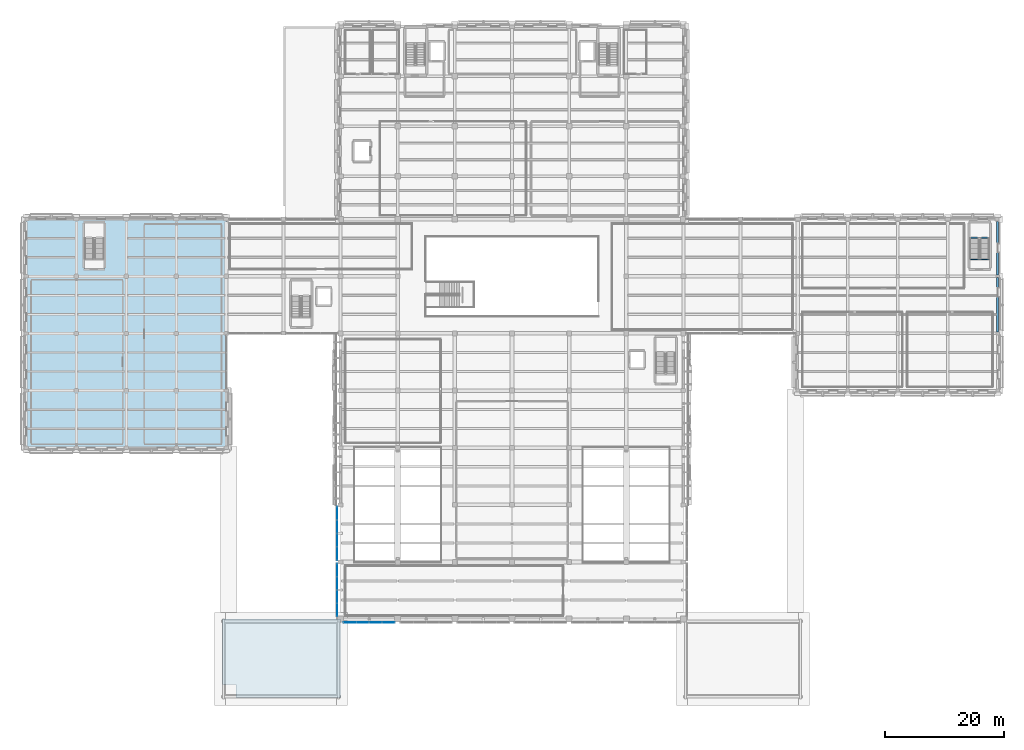
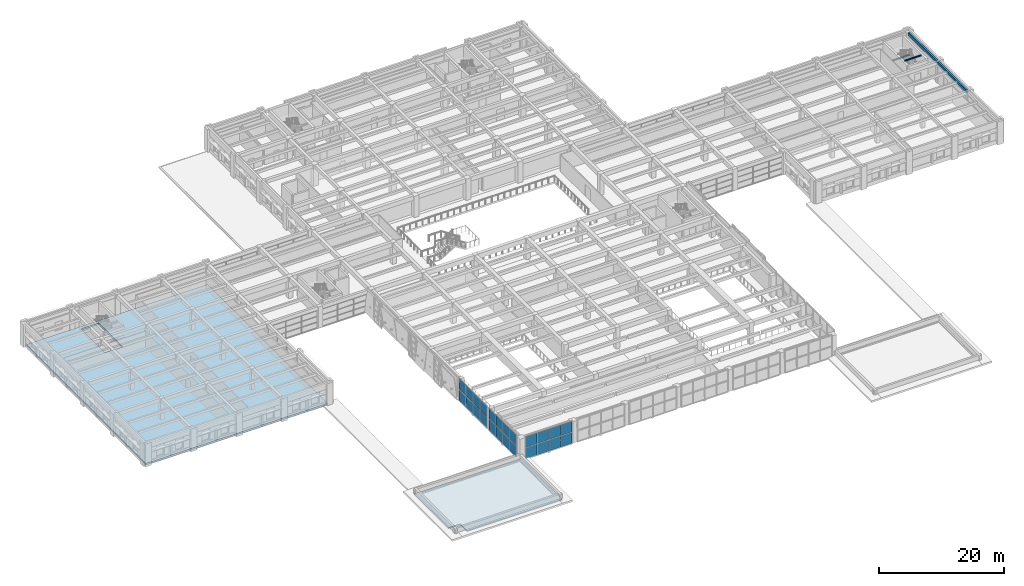
# One storey, part 24 of 49: 24 plates, 4 beams, 2 slabs, 3 elements without a shape of their own.
"""IFC4 building model written with IfcOpenShell, lengths in metres."""

import ifcopenshell
import ifcopenshell.guid

model = None  # the IFC model being written
_history = None  # IfcOwnerHistory: only IFC2X3 demands one
_inside = {}  # id of a spatial element -> (the spatial element, [elements in it])
_under = {}  # id of a project, library or spatial element -> (it, [spatial elements below it])
_declared = {}  # id of a project -> (the project, [libraries it declares])
_typed = {}  # id of a type object -> (the type object, [elements of that type])
_made_of = {}  # id of a material, layer set ... -> (it, [elements and type objects made of it])


def new_model(schema):
    """Start an empty IFC model of exactly this schema.

    Asked for "IFC4X3", IfcOpenShell would pick the latest addendum, in which some entities
    have other attributes; the version numbers below select the first issue.
    IFC2X3 requires an IfcOwnerHistory on every rooted entity: one is made here for all.
    """
    global model, _history
    if schema == "IFC4X3":
        model = ifcopenshell.file(schema_version=(4, 3, 0, 0))
    else:
        model = ifcopenshell.file(schema=schema)
    _inside.clear()
    _under.clear()
    _declared.clear()
    _typed.clear()
    _made_of.clear()
    _history = None
    if model.schema == "IFC2X3":
        org = make("IfcOrganization", Name="unknown")
        user = make(
            "IfcPersonAndOrganization",
            ThePerson=make("IfcPerson", FamilyName="unknown"),
            TheOrganization=org,
        )
        app = make(
            "IfcApplication",
            ApplicationDeveloper=org,
            Version="unknown",
            ApplicationFullName="unknown",
            ApplicationIdentifier="unknown",
        )
        _history = make(
            "IfcOwnerHistory",
            OwningUser=user,
            OwningApplication=app,
            ChangeAction="ADDED",
            CreationDate=0,
        )
    return model


def make(cls, **values):
    """One entity of the class cls with the attributes given. An attribute that is None is left unset."""
    return model.create_entity(
        cls, **{name: value for name, value in values.items() if value is not None}
    )


def rooted(cls, **values):
    """An entity with a GlobalId (a new one), such as an element, a storey or a relation."""
    return make(cls, GlobalId=ifcopenshell.guid.new(), OwnerHistory=_history, **values)


def si_unit(unit_type, name, prefix=None):
    """IfcSIUnit, for example si_unit("LENGTHUNIT", "METRE", prefix="MILLI")."""
    return make("IfcSIUnit", UnitType=unit_type, Prefix=prefix, Name=name)


def assignment(units):
    """IfcUnitAssignment: the units of a project."""
    return None if units is None else make("IfcUnitAssignment", Units=units)


def point(xyz):
    """IfcCartesianPoint."""
    return None if xyz is None else make("IfcCartesianPoint", Coordinates=xyz)


def direction(xyz):
    """IfcDirection."""
    return None if xyz is None else make("IfcDirection", DirectionRatios=xyz)


def frame(location, z_axis=None, x_axis=None):
    """IfcAxis2Placement3D, a coordinate frame: its origin and axes. An axis left out is left unset."""
    return make(
        "IfcAxis2Placement3D",
        Location=point(location),
        Axis=direction(z_axis),
        RefDirection=direction(x_axis),
    )


def frame_2d(location, x_axis=None):
    """IfcAxis2Placement2D, a coordinate frame in the plane: its origin and x axis."""
    return make(
        "IfcAxis2Placement2D", Location=point(location), RefDirection=direction(x_axis)
    )


def origin():
    """The frame at (0, 0, 0) with its axes left unset."""
    return frame((0.0, 0.0, 0.0))


def origin_2d():
    """The frame at (0, 0) in the plane with its x axis left unset."""
    return frame_2d((0.0, 0.0))


def place(relative_to, where):
    """IfcLocalPlacement: puts the frame where relative to a parent placement (None: the world)."""
    return make(
        "IfcLocalPlacement", PlacementRelTo=relative_to, RelativePlacement=where
    )


def context(
    kind, dimensions, precision=None, world=None, true_north=None, identifier=None
):
    """IfcGeometricRepresentationContext, for example the 3D "Model" context."""
    return make(
        "IfcGeometricRepresentationContext",
        ContextIdentifier=identifier,
        ContextType=kind,
        CoordinateSpaceDimension=dimensions,
        Precision=precision,
        WorldCoordinateSystem=world,
        TrueNorth=true_north,
    )


def subcontext(parent, identifier, kind, view, scale=None):
    """IfcGeometricRepresentationSubContext, for example "Body" below "Model"."""
    return make(
        "IfcGeometricRepresentationSubContext",
        ContextIdentifier=identifier,
        ContextType=kind,
        ParentContext=parent,
        TargetScale=scale,
        TargetView=view,
    )


def project(units=None, contexts=None):
    """IfcProject with its units and contexts."""
    return rooted(
        "IfcProject",
        Name="project",
        RepresentationContexts=contexts,
        UnitsInContext=assignment(units),
    )


def spatial(cls, under=None, at=None, **own):
    """A site, building, storey or space (cls), placed at a placement, below another one or the project."""
    s = rooted(cls, ObjectPlacement=at, **own)
    if under is not None:
        _under.setdefault(under.id(), (under, []))[1].append(s)
    return s


def polyline(points):
    """IfcPolyline through the points."""
    return make("IfcPolyline", Points=[point(p) for p in points])


def profile(cls, at=None, kind="AREA", **sizes):
    """A parametric profile (cls). Its sizes go by their IFC names, for example OverallWidth=200.0."""
    return make(cls, ProfileType=kind, Position=at, **sizes)


def rectangle(**sizes):
    """IfcRectangleProfileDef."""
    return profile("IfcRectangleProfileDef", **sizes)


def i_section(**sizes):
    """IfcIShapeProfileDef."""
    return profile("IfcIShapeProfileDef", **sizes)


def outline(outer, holes=None, kind="AREA"):
    """IfcArbitraryClosedProfileDef: a profile drawn as a closed curve; with holes, ...WithVoids."""
    if holes is None:
        return make("IfcArbitraryClosedProfileDef", ProfileType=kind, OuterCurve=outer)
    return make(
        "IfcArbitraryProfileDefWithVoids",
        ProfileType=kind,
        OuterCurve=outer,
        InnerCurves=holes,
    )


def extrude(swept, where, along, depth):
    """IfcExtrudedAreaSolid: the profile swept, set in the frame where, extruded along a direction by depth."""
    return make(
        "IfcExtrudedAreaSolid",
        SweptArea=swept,
        Position=where,
        ExtrudedDirection=direction(along),
        Depth=depth,
    )


def shape(context_of_items, identifier, shape_type, items):
    """IfcShapeRepresentation: the items that make up one representation, for example the "Body"."""
    return make(
        "IfcShapeRepresentation",
        ContextOfItems=context_of_items,
        RepresentationIdentifier=identifier,
        RepresentationType=shape_type,
        Items=items,
    )


def material(Name=None, Category=None):
    """IfcMaterial."""
    return make("IfcMaterial", Name=Name, Category=Category)


def layer(
    of_material, thickness, ventilated=None, Name=None, Category=None, Priority=None
):
    """IfcMaterialLayer: one layer of a wall or slab, of a material (None: an air gap)."""
    return make(
        "IfcMaterialLayer",
        Material=of_material,
        LayerThickness=thickness,
        IsVentilated=ventilated,
        Name=Name,
        Category=Category,
        Priority=Priority,
    )


def layer_set(layers, Name=None):
    """IfcMaterialLayerSet."""
    return make("IfcMaterialLayerSet", MaterialLayers=layers, LayerSetName=Name)


def material_profile(
    of_material, cross_section, Name=None, Category=None, Priority=None
):
    """IfcMaterialProfile: a cross section and its material."""
    return make(
        "IfcMaterialProfile",
        Name=Name,
        Material=of_material,
        Profile=cross_section,
        Priority=Priority,
        Category=Category,
    )


def profile_set(profiles, Name=None, composite=None):
    """IfcMaterialProfileSet."""
    return make(
        "IfcMaterialProfileSet",
        Name=Name,
        MaterialProfiles=profiles,
        CompositeProfile=composite,
    )


def made_of(thing, what):
    """Note that an element or type object is made of a material, layer set ...; save() writes the relation."""
    if what is not None:
        _made_of.setdefault(what.id(), (what, []))[1].append(thing)
    return thing


def type_object(cls, material=None, **own):
    """A type object (cls), such as IfcWallType, which elements share."""
    return made_of(rooted(cls, **own), material)


def element(
    cls,
    number,
    at=None,
    inside=None,
    cuts=None,
    type_object=None,
    material=None,
    context=None,
    identifier="Body",
    shape_type=None,
    held_by="IfcProductDefinitionShape",
    body=None,
    shapes=None,
    **own,
):
    """One element of the class cls, such as IfcWall. Its Tag is "e" and its number.

    at: its placement. inside: the storey or other place that contains it. cuts: it is an
    opening in that element (IfcRelVoidsElement). A single representation is given by context,
    identifier, shape_type and body (its items); several are given by shapes. held_by: the class
    of the entity that holds the representations. save() writes the other relations.
    """
    e = rooted(cls, Tag="e%d" % number, ObjectPlacement=at, **own)
    if body is not None:
        shapes = [shape(context, identifier, shape_type, body)]
    if shapes is not None:
        e.Representation = make(held_by, Representations=shapes)
    if inside is not None:
        _inside.setdefault(inside.id(), (inside, []))[1].append(e)
    if cuts is not None:
        rooted(
            "IfcRelVoidsElement", RelatingBuildingElement=cuts, RelatedOpeningElement=e
        )
    if type_object is not None:
        _typed.setdefault(type_object.id(), (type_object, []))[1].append(e)
    return made_of(e, material)


def aggregate(whole, parts):
    """IfcRelAggregates: a whole, such as a stair, and the parts it consists of."""
    return rooted("IfcRelAggregates", RelatingObject=whole, RelatedObjects=parts)


def save(model, path):
    """Write the relations noted so far, then the file.

    IfcRelAggregates (storeys below a building ...), IfcRelContainedInSpatialStructure (elements
    in a storey), IfcRelDefinesByType, IfcRelAssociatesMaterial and IfcRelDeclares: one each for
    every whole, place, type object, material and project.
    """
    for whole, parts in _under.values():
        aggregate(whole, parts)
    for where, things in _inside.values():
        rooted(
            "IfcRelContainedInSpatialStructure",
            RelatedElements=things,
            RelatingStructure=where,
        )
    for kind, things in _typed.values():
        rooted("IfcRelDefinesByType", RelatedObjects=things, RelatingType=kind)
    for what, things in _made_of.values():
        rooted("IfcRelAssociatesMaterial", RelatedObjects=things, RelatingMaterial=what)
    for by, libraries in _declared.values():
        rooted("IfcRelDeclares", RelatingContext=by, RelatedDefinitions=libraries)
    model.write(path)


model = new_model("IFC4")

# Units and contexts
model_context = context("Model", 3, precision=1e-05, world=origin(), true_north=direction((0.0, 1.0)))
body_context = subcontext(model_context, "Body", "Model", "MODEL_VIEW")
ifc_project = project(units=[si_unit("LENGTHUNIT", "METRE"), si_unit("AREAUNIT", "SQUARE_METRE"), si_unit("VOLUMEUNIT", "CUBIC_METRE"), si_unit("PLANEANGLEUNIT", "RADIAN"), si_unit("MASSUNIT", "GRAM", prefix="KILO")], contexts=[model_context])

# Site, building, storey
site_placement = place(None, origin())
site = spatial("IfcSite", under=ifc_project, at=site_placement, CompositionType="ELEMENT")
building_placement = place(site_placement, origin())
building = spatial("IfcBuilding", under=site, at=building_placement, Name="Bempovik Park Faculty of Sciences", CompositionType="ELEMENT")
storey_placement = place(building_placement, frame((0.0, 0.0, 5.39990234375)))
storey = spatial("IfcBuildingStorey", under=building, at=storey_placement, Name="L01", CompositionType="ELEMENT", Elevation=5.39990234375)

# Beams
ifc_material_1 = material(Name="Concrete C35/45", Category="concrete")
ifc_material_profile_1 = material_profile(ifc_material_1, rectangle(XDim=0.35009765625, YDim=0.5400390625, at=origin_2d()), Name="RC 350x540")
ifc_profile_set_1 = profile_set([ifc_material_profile_1], Name="Concrete C35/45")
beam_type_1 = type_object("IfcBeamType", Name="B-059 RC 350x540", PredefinedType="SPANDREL", material=ifc_profile_set_1)
beam_1_placement = place(storey_placement, frame((170.39990234375, 68.035888671875, 3.91015625), z_axis=(0.0, 1.0, 0.0), x_axis=(-1.0, 0.0, 0.0)))
element("IfcBeam", 1, at=beam_1_placement, inside=storey, type_object=beam_type_1, Name="L01 Beam Y (x=170.4, 67.8-77.4)", PredefinedType="SPANDREL", context=body_context, shape_type="SweptSolid", body=[
    extrude(rectangle(XDim=0.35009765625, YDim=0.5400390625, at=origin_2d()), origin(), (0.0, 0.0, 1.0), 9.128173828125),
])
beam_2_placement = place(storey_placement, frame((170.39990234375, 77.635986328125, 3.91015625), z_axis=(0.0, 1.0, 0.0), x_axis=(-1.0, 0.0, 0.0)))
element("IfcBeam", 2, at=beam_2_placement, inside=storey, type_object=beam_type_1, Name="L01 Beam Y (x=170.4, 77.4-87.0)", PredefinedType="SPANDREL", context=body_context, shape_type="SweptSolid", body=[
    extrude(rectangle(XDim=0.35009765625, YDim=0.5400390625, at=origin_2d()), origin(), (0.0, 0.0, 1.0), 9.008056640625),
])
ifc_material_2 = material(Name="Steel S355", Category="steel")
ifc_material_profile_2 = material_profile(ifc_material_2, i_section(OverallWidth=0.239990234375, OverallDepth=0.22998046875, WebThickness=0.007568359375, FlangeThickness=0.011962890625, at=origin_2d()), Name="HEA 240")
ifc_profile_set_2 = profile_set([ifc_material_profile_2], Name="Steel S355")
beam_type_2 = type_object("IfcBeamType", Name="B-070 HEA 240", PredefinedType="BEAM", material=ifc_profile_set_2)
for number, where, z_axis, x_axis, name in (
    (3, (165.756103515625, 83.89990234375, 1.93505859375), (1.0, 0.0, 0.0), (0.0, 1.0, 0.0), "L01 ST-6 Half-Landing Trimmer Beam"),
    (4, (165.756103515625, 80.22509765625, 4.065185546875), (1.0, 0.0, 0.0), (0.0, 1.0, 0.0), "L02 ST-6 Floor Landing Trimmer Beam"),
):
    element("IfcBeam", number, at=place(storey_placement, frame(where, z_axis=z_axis, x_axis=x_axis)), inside=storey, type_object=beam_type_2, Name=name, PredefinedType="BEAM", context=body_context, shape_type="SweptSolid", body=[
        extrude(i_section(OverallWidth=0.239990234375, OverallDepth=0.22998046875, WebThickness=0.007568359375, FlangeThickness=0.011962890625, at=origin_2d()), origin(), (0.0, 0.0, 1.0), 3.23779296875),
    ])

# Curtain wall, plates
ifc_material_3 = material(Name="Tempered laminated low-E glass", Category="glass")
ifc_layer_1 = layer(ifc_material_3, 0.159912109375)
ifc_layer_set_1 = layer_set([ifc_layer_1], Name="Tempered laminated low-E glass")
curtain_wall_type = type_object("IfcCurtainWallType", Name="CW-48 Curtain 7200x4200", PredefinedType="USERDEFINED", material=ifc_layer_set_1)
curtain_wall_1_placement = place(storey_placement, origin())
curtain_wall_1 = element("IfcCurtainWall", 5, at=curtain_wall_1_placement, inside=storey, type_object=curtain_wall_type, Name="L01 Recessed Entrance Foyer Curtain Wall (60.0-69.6)", ObjectType="UNITISED CURTAIN WALL", PredefinedType="USERDEFINED")
ifc_layer_2 = layer(ifc_material_3, 0.0400390625)
ifc_layer_set_2 = layer_set([ifc_layer_2], Name="Tempered laminated low-E glass")
plate_type = type_object("IfcPlateType", Name="CP-15 Curtain Panel 40mm", PredefinedType="CURTAIN_PANEL", material=ifc_layer_set_2)
plate_1_placement = place(storey_placement, frame((61.54638671875, 19.219970703125, 0.1201171875), z_axis=(0.0, 0.0, 1.0), x_axis=(1.0, 0.0, 0.0)))
plate_1 = element("IfcPlate", 6, at=plate_1_placement, type_object=plate_type, Name="CW-FOY-L01-198-600 Panel 0-0", PredefinedType="CURTAIN_PANEL", context=body_context, shape_type="SweptSolid", body=[
    extrude(rectangle(XDim=2.089111328125, YDim=0.035888671875, at=origin_2d()), origin(), (0.0, 0.0, 1.0), 2.1298828125),
])
plate_2_placement = place(storey_placement, frame((61.54638671875, 19.219970703125, 2.330078125), z_axis=(0.0, 0.0, 1.0), x_axis=(1.0, 0.0, 0.0)))
plate_2 = element("IfcPlate", 7, at=plate_2_placement, type_object=plate_type, Name="CW-FOY-L01-198-600 Panel 0-1", PredefinedType="CURTAIN_PANEL", context=body_context, shape_type="SweptSolid", body=[
    extrude(rectangle(XDim=2.089111328125, YDim=0.035888671875, at=origin_2d()), origin(), (0.0, 0.0, 1.0), 2.1298828125),
])
plate_3_placement = place(storey_placement, frame((63.715576171875, 19.219970703125, 0.1201171875), z_axis=(0.0, 0.0, 1.0), x_axis=(1.0, 0.0, 0.0)))
plate_3 = element("IfcPlate", 8, at=plate_3_placement, type_object=plate_type, Name="CW-FOY-L01-198-600 Panel 1-0", PredefinedType="CURTAIN_PANEL", context=body_context, shape_type="SweptSolid", body=[
    extrude(rectangle(XDim=2.089111328125, YDim=0.035888671875, at=origin_2d()), origin(), (0.0, 0.0, 1.0), 2.1298828125),
])
plate_4_placement = place(storey_placement, frame((63.715576171875, 19.219970703125, 2.330078125), z_axis=(0.0, 0.0, 1.0), x_axis=(1.0, 0.0, 0.0)))
plate_4 = element("IfcPlate", 9, at=plate_4_placement, type_object=plate_type, Name="CW-FOY-L01-198-600 Panel 1-1", PredefinedType="CURTAIN_PANEL", context=body_context, shape_type="SweptSolid", body=[
    extrude(rectangle(XDim=2.089111328125, YDim=0.035888671875, at=origin_2d()), origin(), (0.0, 0.0, 1.0), 2.1298828125),
])
plate_5_placement = place(storey_placement, frame((65.884521484375, 19.219970703125, 0.1201171875), z_axis=(0.0, 0.0, 1.0), x_axis=(1.0, 0.0, 0.0)))
plate_5 = element("IfcPlate", 10, at=plate_5_placement, type_object=plate_type, Name="CW-FOY-L01-198-600 Panel 2-0", PredefinedType="CURTAIN_PANEL", context=body_context, shape_type="SweptSolid", body=[
    extrude(rectangle(XDim=2.089111328125, YDim=0.035888671875, at=origin_2d()), origin(), (0.0, 0.0, 1.0), 2.1298828125),
])
plate_6_placement = place(storey_placement, frame((65.884521484375, 19.219970703125, 2.330078125), z_axis=(0.0, 0.0, 1.0), x_axis=(1.0, 0.0, 0.0)))
plate_6 = element("IfcPlate", 11, at=plate_6_placement, type_object=plate_type, Name="CW-FOY-L01-198-600 Panel 2-1", PredefinedType="CURTAIN_PANEL", context=body_context, shape_type="SweptSolid", body=[
    extrude(rectangle(XDim=2.089111328125, YDim=0.035888671875, at=origin_2d()), origin(), (0.0, 0.0, 1.0), 2.1298828125),
])
plate_7_placement = place(storey_placement, frame((68.053466796875, 19.219970703125, 0.1201171875), z_axis=(0.0, 0.0, 1.0), x_axis=(1.0, 0.0, 0.0)))
plate_7 = element("IfcPlate", 12, at=plate_7_placement, type_object=plate_type, Name="CW-FOY-L01-198-600 Panel 3-0", PredefinedType="CURTAIN_PANEL", context=body_context, shape_type="SweptSolid", body=[
    extrude(rectangle(XDim=2.089111328125, YDim=0.035888671875, at=origin_2d()), origin(), (0.0, 0.0, 1.0), 2.1298828125),
])
plate_8_placement = place(storey_placement, frame((68.053466796875, 19.219970703125, 2.330078125), z_axis=(0.0, 0.0, 1.0), x_axis=(1.0, 0.0, 0.0)))
plate_8 = element("IfcPlate", 13, at=plate_8_placement, type_object=plate_type, Name="CW-FOY-L01-198-600 Panel 3-1", PredefinedType="CURTAIN_PANEL", context=body_context, shape_type="SweptSolid", body=[
    extrude(rectangle(XDim=2.089111328125, YDim=0.035888671875, at=origin_2d()), origin(), (0.0, 0.0, 1.0), 2.1298828125),
])
aggregate(curtain_wall_1, [plate_1, plate_2, plate_3, plate_4, plate_5, plate_6, plate_7, plate_8])

curtain_wall_2_placement = place(storey_placement, origin())
curtain_wall_2 = element("IfcCurtainWall", 14, at=curtain_wall_2_placement, inside=storey, type_object=curtain_wall_type, Name="L01 Recessed Entrance Foyer Curtain Wall (19.8-29.4)", ObjectType="UNITISED CURTAIN WALL", PredefinedType="USERDEFINED")
plate_9_placement = place(storey_placement, frame((59.419921875, 21.368408203125, 0.1201171875), z_axis=(0.0, 0.0, 1.0), x_axis=(0.0, 1.0, 0.0)))
plate_9 = element("IfcPlate", 15, at=plate_9_placement, type_object=plate_type, Name="CW-FOY-L01-600-198 Panel 0-0", PredefinedType="CURTAIN_PANEL", context=body_context, shape_type="SweptSolid", body=[
    extrude(rectangle(XDim=2.1328125, YDim=0.035888671875, at=origin_2d()), origin(), (0.0, 0.0, 1.0), 2.1298828125),
])
plate_10_placement = place(storey_placement, frame((59.419921875, 21.368408203125, 2.330078125), z_axis=(0.0, 0.0, 1.0), x_axis=(0.0, 1.0, 0.0)))
plate_10 = element("IfcPlate", 16, at=plate_10_placement, type_object=plate_type, Name="CW-FOY-L01-600-198 Panel 0-1", PredefinedType="CURTAIN_PANEL", context=body_context, shape_type="SweptSolid", body=[
    extrude(rectangle(XDim=2.1328125, YDim=0.035888671875, at=origin_2d()), origin(), (0.0, 0.0, 1.0), 2.1298828125),
])
plate_11_placement = place(storey_placement, frame((59.419921875, 23.5810546875, 0.1201171875), z_axis=(0.0, 0.0, 1.0), x_axis=(0.0, 1.0, 0.0)))
plate_11 = element("IfcPlate", 17, at=plate_11_placement, type_object=plate_type, Name="CW-FOY-L01-600-198 Panel 1-0", PredefinedType="CURTAIN_PANEL", context=body_context, shape_type="SweptSolid", body=[
    extrude(rectangle(XDim=2.1328125, YDim=0.035888671875, at=origin_2d()), origin(), (0.0, 0.0, 1.0), 2.1298828125),
])
plate_12_placement = place(storey_placement, frame((59.419921875, 23.5810546875, 2.330078125), z_axis=(0.0, 0.0, 1.0), x_axis=(0.0, 1.0, 0.0)))
plate_12 = element("IfcPlate", 18, at=plate_12_placement, type_object=plate_type, Name="CW-FOY-L01-600-198 Panel 1-1", PredefinedType="CURTAIN_PANEL", context=body_context, shape_type="SweptSolid", body=[
    extrude(rectangle(XDim=2.1328125, YDim=0.035888671875, at=origin_2d()), origin(), (0.0, 0.0, 1.0), 2.1298828125),
])
plate_13_placement = place(storey_placement, frame((59.419921875, 25.7939453125, 0.1201171875), z_axis=(0.0, 0.0, 1.0), x_axis=(0.0, 1.0, 0.0)))
plate_13 = element("IfcPlate", 19, at=plate_13_placement, type_object=plate_type, Name="CW-FOY-L01-600-198 Panel 2-0", PredefinedType="CURTAIN_PANEL", context=body_context, shape_type="SweptSolid", body=[
    extrude(rectangle(XDim=2.1328125, YDim=0.035888671875, at=origin_2d()), origin(), (0.0, 0.0, 1.0), 2.1298828125),
])
plate_14_placement = place(storey_placement, frame((59.419921875, 25.7939453125, 2.330078125), z_axis=(0.0, 0.0, 1.0), x_axis=(0.0, 1.0, 0.0)))
plate_14 = element("IfcPlate", 20, at=plate_14_placement, type_object=plate_type, Name="CW-FOY-L01-600-198 Panel 2-1", PredefinedType="CURTAIN_PANEL", context=body_context, shape_type="SweptSolid", body=[
    extrude(rectangle(XDim=2.1328125, YDim=0.035888671875, at=origin_2d()), origin(), (0.0, 0.0, 1.0), 2.1298828125),
])
plate_15_placement = place(storey_placement, frame((59.419921875, 28.006591796875, 0.1201171875), z_axis=(0.0, 0.0, 1.0), x_axis=(0.0, 1.0, 0.0)))
plate_15 = element("IfcPlate", 21, at=plate_15_placement, type_object=plate_type, Name="CW-FOY-L01-600-198 Panel 3-0", PredefinedType="CURTAIN_PANEL", context=body_context, shape_type="SweptSolid", body=[
    extrude(rectangle(XDim=2.1328125, YDim=0.035888671875, at=origin_2d()), origin(), (0.0, 0.0, 1.0), 2.1298828125),
])
plate_16_placement = place(storey_placement, frame((59.419921875, 28.006591796875, 2.330078125), z_axis=(0.0, 0.0, 1.0), x_axis=(0.0, 1.0, 0.0)))
plate_16 = element("IfcPlate", 22, at=plate_16_placement, type_object=plate_type, Name="CW-FOY-L01-600-198 Panel 3-1", PredefinedType="CURTAIN_PANEL", context=body_context, shape_type="SweptSolid", body=[
    extrude(rectangle(XDim=2.1328125, YDim=0.035888671875, at=origin_2d()), origin(), (0.0, 0.0, 1.0), 2.1298828125),
])
aggregate(curtain_wall_2, [plate_9, plate_10, plate_11, plate_12, plate_13, plate_14, plate_15, plate_16])

curtain_wall_3_placement = place(storey_placement, origin())
curtain_wall_3 = element("IfcCurtainWall", 23, at=curtain_wall_3_placement, inside=storey, type_object=curtain_wall_type, Name="L01 Recessed Entrance Foyer Curtain Wall (29.4-39.0)", ObjectType="UNITISED CURTAIN WALL", PredefinedType="USERDEFINED")
plate_17_placement = place(storey_placement, frame((59.419921875, 30.815185546875, 0.1201171875), z_axis=(0.0, 0.0, 1.0), x_axis=(0.0, 1.0, 0.0)))
plate_17 = element("IfcPlate", 24, at=plate_17_placement, type_object=plate_type, Name="CW-FOY-L01-600-294 Panel 0-0", PredefinedType="CURTAIN_PANEL", context=body_context, shape_type="SweptSolid", body=[
    extrude(rectangle(XDim=2.176513671875, YDim=0.035888671875, at=origin_2d()), origin(), (0.0, 0.0, 1.0), 2.1298828125),
])
plate_18_placement = place(storey_placement, frame((59.419921875, 30.815185546875, 2.330078125), z_axis=(0.0, 0.0, 1.0), x_axis=(0.0, 1.0, 0.0)))
plate_18 = element("IfcPlate", 25, at=plate_18_placement, type_object=plate_type, Name="CW-FOY-L01-600-294 Panel 0-1", PredefinedType="CURTAIN_PANEL", context=body_context, shape_type="SweptSolid", body=[
    extrude(rectangle(XDim=2.176513671875, YDim=0.035888671875, at=origin_2d()), origin(), (0.0, 0.0, 1.0), 2.1298828125),
])
plate_19_placement = place(storey_placement, frame((59.419921875, 33.07177734375, 0.1201171875), z_axis=(0.0, 0.0, 1.0), x_axis=(0.0, 1.0, 0.0)))
plate_19 = element("IfcPlate", 26, at=plate_19_placement, type_object=plate_type, Name="CW-FOY-L01-600-294 Panel 1-0", PredefinedType="CURTAIN_PANEL", context=body_context, shape_type="SweptSolid", body=[
    extrude(rectangle(XDim=2.176513671875, YDim=0.035888671875, at=origin_2d()), origin(), (0.0, 0.0, 1.0), 2.1298828125),
])
plate_20_placement = place(storey_placement, frame((59.419921875, 33.07177734375, 2.330078125), z_axis=(0.0, 0.0, 1.0), x_axis=(0.0, 1.0, 0.0)))
plate_20 = element("IfcPlate", 27, at=plate_20_placement, type_object=plate_type, Name="CW-FOY-L01-600-294 Panel 1-1", PredefinedType="CURTAIN_PANEL", context=body_context, shape_type="SweptSolid", body=[
    extrude(rectangle(XDim=2.176513671875, YDim=0.035888671875, at=origin_2d()), origin(), (0.0, 0.0, 1.0), 2.1298828125),
])
plate_21_placement = place(storey_placement, frame((59.419921875, 35.328125, 0.1201171875), z_axis=(0.0, 0.0, 1.0), x_axis=(0.0, 1.0, 0.0)))
plate_21 = element("IfcPlate", 28, at=plate_21_placement, type_object=plate_type, Name="CW-FOY-L01-600-294 Panel 2-0", PredefinedType="CURTAIN_PANEL", context=body_context, shape_type="SweptSolid", body=[
    extrude(rectangle(XDim=2.176513671875, YDim=0.035888671875, at=origin_2d()), origin(), (0.0, 0.0, 1.0), 2.1298828125),
])
plate_22_placement = place(storey_placement, frame((59.419921875, 35.328125, 2.330078125), z_axis=(0.0, 0.0, 1.0), x_axis=(0.0, 1.0, 0.0)))
plate_22 = element("IfcPlate", 29, at=plate_22_placement, type_object=plate_type, Name="CW-FOY-L01-600-294 Panel 2-1", PredefinedType="CURTAIN_PANEL", context=body_context, shape_type="SweptSolid", body=[
    extrude(rectangle(XDim=2.176513671875, YDim=0.035888671875, at=origin_2d()), origin(), (0.0, 0.0, 1.0), 2.1298828125),
])
plate_23_placement = place(storey_placement, frame((59.419921875, 37.584716796875, 0.1201171875), z_axis=(0.0, 0.0, 1.0), x_axis=(0.0, 1.0, 0.0)))
plate_23 = element("IfcPlate", 30, at=plate_23_placement, type_object=plate_type, Name="CW-FOY-L01-600-294 Panel 3-0", PredefinedType="CURTAIN_PANEL", context=body_context, shape_type="SweptSolid", body=[
    extrude(rectangle(XDim=2.176513671875, YDim=0.035888671875, at=origin_2d()), origin(), (0.0, 0.0, 1.0), 2.1298828125),
])
plate_24_placement = place(storey_placement, frame((59.419921875, 37.584716796875, 2.330078125), z_axis=(0.0, 0.0, 1.0), x_axis=(0.0, 1.0, 0.0)))
plate_24 = element("IfcPlate", 31, at=plate_24_placement, type_object=plate_type, Name="CW-FOY-L01-600-294 Panel 3-1", PredefinedType="CURTAIN_PANEL", context=body_context, shape_type="SweptSolid", body=[
    extrude(rectangle(XDim=2.176513671875, YDim=0.035888671875, at=origin_2d()), origin(), (0.0, 0.0, 1.0), 2.1298828125),
])
aggregate(curtain_wall_3, [plate_17, plate_18, plate_19, plate_20, plate_21, plate_22, plate_23, plate_24])

# Slabs
ifc_layer_3 = layer(ifc_material_1, 0.300048828125)
ifc_layer_set_3 = layer_set([ifc_layer_3], Name="Concrete C35/45")
slab_type_1 = type_object("IfcSlabType", Name="S-25 Slab 300mm", PredefinedType="FLOOR", material=ifc_layer_set_3)
slab_1_placement = place(storey_placement, frame((0.0, 0.0, -0.31982421875)))
element("IfcSlab", 32, at=slab_1_placement, inside=storey, type_object=slab_type_1, Name="L01 West Laboratory Wing Floor Slab (M)", PredefinedType="FLOOR", context=body_context, shape_type="SweptSolid", body=[
    extrude(outline(polyline([(7.199951171875, 48.60009765625), (40.800048828125, 48.60009765625), (40.800048828125, 87.0), (7.199951171875, 87.0), (7.199951171875, 48.60009765625)]), holes=[polyline([(17.0, 78.75), (20.25, 78.75), (20.25, 86.375), (17.0, 86.375), (17.0, 78.75)])]), origin(), (0.0, 0.0, 1.0), 0.31982421875),
])
ifc_layer_4 = layer(ifc_material_1, 0.219970703125)
ifc_layer_set_4 = layer_set([ifc_layer_4], Name="Concrete C35/45")
slab_type_2 = type_object("IfcSlabType", Name="S-38 Slab 220mm", PredefinedType="ROOF", material=ifc_layer_set_4)
slab_2_placement = place(storey_placement, frame((0.0, 0.0, -0.219970703125)))
element("IfcSlab", 33, at=slab_2_placement, inside=storey, type_object=slab_type_2, Name="Flat Concrete Roof Slab RF-COL-W", PredefinedType="ROOF", context=body_context, shape_type="SweptSolid", body=[
    extrude(outline(polyline([(42.39990234375, 6.60009765625), (60.0, 6.60009765625), (60.0, 19.800048828125), (40.199951171875, 19.800048828125), (40.199951171875, 8.800048828125), (42.39990234375, 8.800048828125), (42.39990234375, 6.60009765625)])), origin(), (0.0, 0.0, 1.0), 0.219970703125),
])

save(model, "model.ifc")
